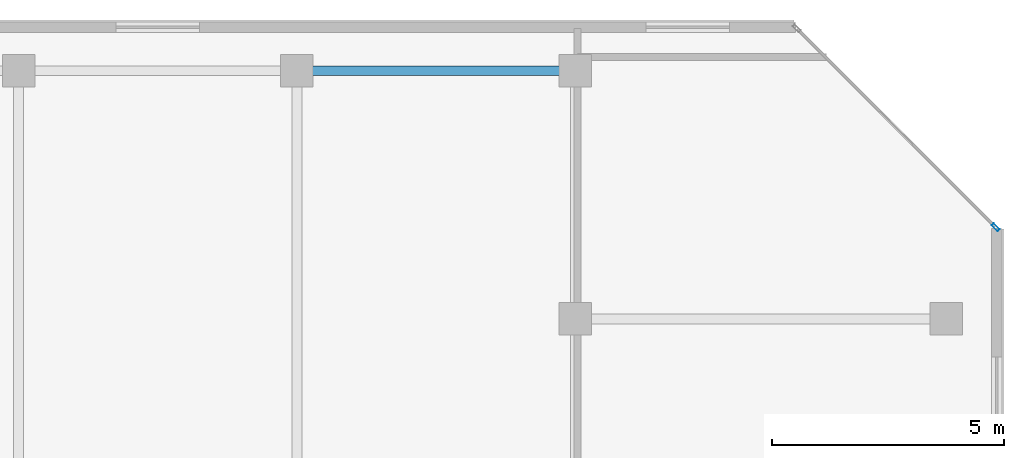
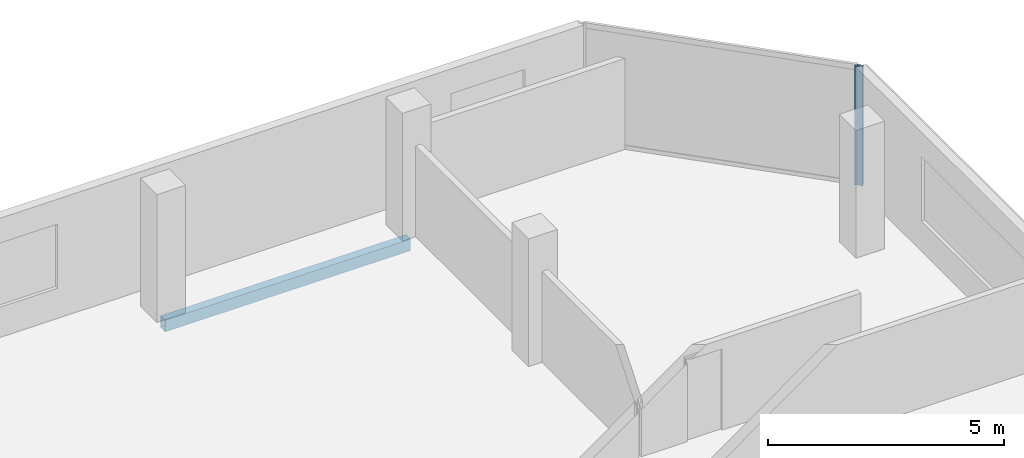
# One storey, part 18 of 29: 1 beam, 1 member, 1 element without a shape of its own.
"""IFC4 building model written with IfcOpenShell, lengths in metres."""

import ifcopenshell
import ifcopenshell.guid

model = None  # the IFC model being written
_history = None  # IfcOwnerHistory: only IFC2X3 demands one
_inside = {}  # id of a spatial element -> (the spatial element, [elements in it])
_under = {}  # id of a project, library or spatial element -> (it, [spatial elements below it])
_declared = {}  # id of a project -> (the project, [libraries it declares])
_typed = {}  # id of a type object -> (the type object, [elements of that type])
_made_of = {}  # id of a material, layer set ... -> (it, [elements and type objects made of it])


def new_model(schema):
    """Start an empty IFC model of exactly this schema.

    Asked for "IFC4X3", IfcOpenShell would pick the latest addendum, in which some entities
    have other attributes; the version numbers below select the first issue.
    IFC2X3 requires an IfcOwnerHistory on every rooted entity: one is made here for all.
    """
    global model, _history
    if schema == "IFC4X3":
        model = ifcopenshell.file(schema_version=(4, 3, 0, 0))
    else:
        model = ifcopenshell.file(schema=schema)
    _inside.clear()
    _under.clear()
    _declared.clear()
    _typed.clear()
    _made_of.clear()
    _history = None
    if model.schema == "IFC2X3":
        org = make("IfcOrganization", Name="unknown")
        user = make(
            "IfcPersonAndOrganization",
            ThePerson=make("IfcPerson", FamilyName="unknown"),
            TheOrganization=org,
        )
        app = make(
            "IfcApplication",
            ApplicationDeveloper=org,
            Version="unknown",
            ApplicationFullName="unknown",
            ApplicationIdentifier="unknown",
        )
        _history = make(
            "IfcOwnerHistory",
            OwningUser=user,
            OwningApplication=app,
            ChangeAction="ADDED",
            CreationDate=0,
        )
    return model


def make(cls, **values):
    """One entity of the class cls with the attributes given. An attribute that is None is left unset."""
    return model.create_entity(
        cls, **{name: value for name, value in values.items() if value is not None}
    )


def rooted(cls, **values):
    """An entity with a GlobalId (a new one), such as an element, a storey or a relation."""
    return make(cls, GlobalId=ifcopenshell.guid.new(), OwnerHistory=_history, **values)


def si_unit(unit_type, name, prefix=None):
    """IfcSIUnit, for example si_unit("LENGTHUNIT", "METRE", prefix="MILLI")."""
    return make("IfcSIUnit", UnitType=unit_type, Prefix=prefix, Name=name)


def assignment(units):
    """IfcUnitAssignment: the units of a project."""
    return None if units is None else make("IfcUnitAssignment", Units=units)


def point(xyz):
    """IfcCartesianPoint."""
    return None if xyz is None else make("IfcCartesianPoint", Coordinates=xyz)


def direction(xyz):
    """IfcDirection."""
    return None if xyz is None else make("IfcDirection", DirectionRatios=xyz)


def frame(location, z_axis=None, x_axis=None):
    """IfcAxis2Placement3D, a coordinate frame: its origin and axes. An axis left out is left unset."""
    return make(
        "IfcAxis2Placement3D",
        Location=point(location),
        Axis=direction(z_axis),
        RefDirection=direction(x_axis),
    )


def frame_2d(location, x_axis=None):
    """IfcAxis2Placement2D, a coordinate frame in the plane: its origin and x axis."""
    return make(
        "IfcAxis2Placement2D", Location=point(location), RefDirection=direction(x_axis)
    )


def origin():
    """The frame at (0, 0, 0) with its axes left unset."""
    return frame((0.0, 0.0, 0.0))


def origin_2d():
    """The frame at (0, 0) in the plane with its x axis left unset."""
    return frame_2d((0.0, 0.0))


def place(relative_to, where):
    """IfcLocalPlacement: puts the frame where relative to a parent placement (None: the world)."""
    return make(
        "IfcLocalPlacement", PlacementRelTo=relative_to, RelativePlacement=where
    )


def context(
    kind, dimensions, precision=None, world=None, true_north=None, identifier=None
):
    """IfcGeometricRepresentationContext, for example the 3D "Model" context."""
    return make(
        "IfcGeometricRepresentationContext",
        ContextIdentifier=identifier,
        ContextType=kind,
        CoordinateSpaceDimension=dimensions,
        Precision=precision,
        WorldCoordinateSystem=world,
        TrueNorth=true_north,
    )


def subcontext(parent, identifier, kind, view, scale=None):
    """IfcGeometricRepresentationSubContext, for example "Body" below "Model"."""
    return make(
        "IfcGeometricRepresentationSubContext",
        ContextIdentifier=identifier,
        ContextType=kind,
        ParentContext=parent,
        TargetScale=scale,
        TargetView=view,
    )


def project(units=None, contexts=None):
    """IfcProject with its units and contexts."""
    return rooted(
        "IfcProject",
        Name="project",
        RepresentationContexts=contexts,
        UnitsInContext=assignment(units),
    )


def spatial(cls, under=None, at=None, **own):
    """A site, building, storey or space (cls), placed at a placement, below another one or the project."""
    s = rooted(cls, ObjectPlacement=at, **own)
    if under is not None:
        _under.setdefault(under.id(), (under, []))[1].append(s)
    return s


def profile(cls, at=None, kind="AREA", **sizes):
    """A parametric profile (cls). Its sizes go by their IFC names, for example OverallWidth=200.0."""
    return make(cls, ProfileType=kind, Position=at, **sizes)


def hollow_rectangle(**sizes):
    """IfcRectangleHollowProfileDef."""
    return profile("IfcRectangleHollowProfileDef", **sizes)


def extrude(swept, where, along, depth):
    """IfcExtrudedAreaSolid: the profile swept, set in the frame where, extruded along a direction by depth."""
    return make(
        "IfcExtrudedAreaSolid",
        SweptArea=swept,
        Position=where,
        ExtrudedDirection=direction(along),
        Depth=depth,
    )


def shape(context_of_items, identifier, shape_type, items):
    """IfcShapeRepresentation: the items that make up one representation, for example the "Body"."""
    return make(
        "IfcShapeRepresentation",
        ContextOfItems=context_of_items,
        RepresentationIdentifier=identifier,
        RepresentationType=shape_type,
        Items=items,
    )


def material(Name=None, Category=None):
    """IfcMaterial."""
    return make("IfcMaterial", Name=Name, Category=Category)


def layer(
    of_material, thickness, ventilated=None, Name=None, Category=None, Priority=None
):
    """IfcMaterialLayer: one layer of a wall or slab, of a material (None: an air gap)."""
    return make(
        "IfcMaterialLayer",
        Material=of_material,
        LayerThickness=thickness,
        IsVentilated=ventilated,
        Name=Name,
        Category=Category,
        Priority=Priority,
    )


def layer_set(layers, Name=None):
    """IfcMaterialLayerSet."""
    return make("IfcMaterialLayerSet", MaterialLayers=layers, LayerSetName=Name)


def material_profile(
    of_material, cross_section, Name=None, Category=None, Priority=None
):
    """IfcMaterialProfile: a cross section and its material."""
    return make(
        "IfcMaterialProfile",
        Name=Name,
        Material=of_material,
        Profile=cross_section,
        Priority=Priority,
        Category=Category,
    )


def profile_set(profiles, Name=None, composite=None):
    """IfcMaterialProfileSet."""
    return make(
        "IfcMaterialProfileSet",
        Name=Name,
        MaterialProfiles=profiles,
        CompositeProfile=composite,
    )


def made_of(thing, what):
    """Note that an element or type object is made of a material, layer set ...; save() writes the relation."""
    if what is not None:
        _made_of.setdefault(what.id(), (what, []))[1].append(thing)
    return thing


def type_object(cls, material=None, **own):
    """A type object (cls), such as IfcWallType, which elements share."""
    return made_of(rooted(cls, **own), material)


def element(
    cls,
    number,
    at=None,
    inside=None,
    cuts=None,
    type_object=None,
    material=None,
    context=None,
    identifier="Body",
    shape_type=None,
    held_by="IfcProductDefinitionShape",
    body=None,
    shapes=None,
    **own,
):
    """One element of the class cls, such as IfcWall. Its Tag is "e" and its number.

    at: its placement. inside: the storey or other place that contains it. cuts: it is an
    opening in that element (IfcRelVoidsElement). A single representation is given by context,
    identifier, shape_type and body (its items); several are given by shapes. held_by: the class
    of the entity that holds the representations. save() writes the other relations.
    """
    e = rooted(cls, Tag="e%d" % number, ObjectPlacement=at, **own)
    if body is not None:
        shapes = [shape(context, identifier, shape_type, body)]
    if shapes is not None:
        e.Representation = make(held_by, Representations=shapes)
    if inside is not None:
        _inside.setdefault(inside.id(), (inside, []))[1].append(e)
    if cuts is not None:
        rooted(
            "IfcRelVoidsElement", RelatingBuildingElement=cuts, RelatedOpeningElement=e
        )
    if type_object is not None:
        _typed.setdefault(type_object.id(), (type_object, []))[1].append(e)
    return made_of(e, material)


def aggregate(whole, parts):
    """IfcRelAggregates: a whole, such as a stair, and the parts it consists of."""
    return rooted("IfcRelAggregates", RelatingObject=whole, RelatedObjects=parts)


def save(model, path):
    """Write the relations noted so far, then the file.

    IfcRelAggregates (storeys below a building ...), IfcRelContainedInSpatialStructure (elements
    in a storey), IfcRelDefinesByType, IfcRelAssociatesMaterial and IfcRelDeclares: one each for
    every whole, place, type object, material and project.
    """
    for whole, parts in _under.values():
        aggregate(whole, parts)
    for where, things in _inside.values():
        rooted(
            "IfcRelContainedInSpatialStructure",
            RelatedElements=things,
            RelatingStructure=where,
        )
    for kind, things in _typed.values():
        rooted("IfcRelDefinesByType", RelatedObjects=things, RelatingType=kind)
    for what, things in _made_of.values():
        rooted("IfcRelAssociatesMaterial", RelatedObjects=things, RelatingMaterial=what)
    for by, libraries in _declared.values():
        rooted("IfcRelDeclares", RelatingContext=by, RelatedDefinitions=libraries)
    model.write(path)


model = new_model("IFC4")

# Units and contexts
model_context = context("Model", 3, precision=1e-05, world=origin(), true_north=direction((0.0, 1.0)))
body_context = subcontext(model_context, "Body", "Model", "MODEL_VIEW")
ifc_project = project(units=[si_unit("LENGTHUNIT", "METRE"), si_unit("AREAUNIT", "SQUARE_METRE"), si_unit("VOLUMEUNIT", "CUBIC_METRE"), si_unit("PLANEANGLEUNIT", "RADIAN"), si_unit("MASSUNIT", "GRAM", prefix="KILO")], contexts=[model_context])

# Site, building, storey
site_placement = place(None, origin())
site = spatial("IfcSite", under=ifc_project, at=site_placement, CompositionType="ELEMENT")
building_placement = place(site_placement, origin())
building = spatial("IfcBuilding", under=site, at=building_placement, Name="Tanjung Sevakor Pilgrim Tower", CompositionType="ELEMENT")
storey_placement = place(building_placement, frame((0.0, 0.0, 235.949951171875)))
storey = spatial("IfcBuildingStorey", under=building, at=storey_placement, Name="L66", CompositionType="ELEMENT", Elevation=235.949951171875)

# Beam
ifc_material_1 = material(Name="Steel S355J2", Category="steel")
ifc_material_profile_1 = material_profile(ifc_material_1, hollow_rectangle(XDim=0.199951171875, YDim=0.300048828125, WallThickness=0.012451171875, at=origin_2d()))
ifc_profile_set_1 = profile_set([ifc_material_profile_1], Name="Steel S355J2")
beam_type = type_object("IfcBeamType", Name="BM-B-SP3-RHS_300x200x12.5", PredefinedType="SPANDREL", material=ifc_profile_set_1)
beam_placement = place(storey_placement, frame((84.0, 53.949951171875, -0.369873046875), z_axis=(1.0, 0.0, 0.0), x_axis=(0.0, 1.0, 0.0)))
element("IfcBeam", 1, at=beam_placement, inside=storey, type_object=beam_type, Name="L66 Spandrel EAST N-06", PredefinedType="SPANDREL", context=body_context, shape_type="SweptSolid", body=[
    extrude(hollow_rectangle(XDim=0.199951171875, YDim=0.300048828125, WallThickness=0.012451171875, at=origin_2d()), origin(), (0.0, 0.0, 1.0), 6.0),
])

# Curtain wall, member
ifc_material_2 = material(Name="Aluminium 6063-T6 and Low-E Glass", Category="aluminium")
ifc_layer = layer(ifc_material_2, 0.179931640625)
ifc_layer_set = layer_set([ifc_layer], Name="CW-SYS-CHAM")
curtain_wall_type = type_object("IfcCurtainWallType", Name="CW-SYS-CHAM", PredefinedType="NOTDEFINED", material=ifc_layer_set)
curtain_wall_placement = place(storey_placement, origin())
curtain_wall = element("IfcCurtainWall", 2, at=curtain_wall_placement, inside=storey, type_object=curtain_wall_type, Name="L66 Curtain Wall CW-CHM-L66-EAST-3", PredefinedType="NOTDEFINED")
ifc_material_3 = material(Name="Aluminium 6063-T6", Category="aluminium")
ifc_material_profile_2 = material_profile(ifc_material_3, hollow_rectangle(XDim=0.06494140625, YDim=0.179931640625, WallThickness=0.00390625, at=origin_2d()))
ifc_profile_set_2 = profile_set([ifc_material_profile_2], Name="Aluminium 6063-T6")
member_type = type_object("IfcMemberType", Name="TYPE-CWM-1", PredefinedType="MULLION", material=ifc_profile_set_2)
member_placement = place(storey_placement, frame((99.067138671875, 50.577392578125, 0.0), z_axis=(0.0, 0.0, 1.0), x_axis=(-0.707106781187, -0.707106781187, 0.0)))
member = element("IfcMember", 3, at=member_placement, type_object=member_type, Name="CW-CHM mullion 1", PredefinedType="MULLION", context=body_context, shape_type="SweptSolid", body=[
    extrude(hollow_rectangle(XDim=0.06494140625, YDim=0.179931640625, WallThickness=0.00390625, at=origin_2d()), origin(), (0.0, 0.0, 1.0), 3.080078125),
])
aggregate(curtain_wall, [member])

save(model, "model.ifc")
